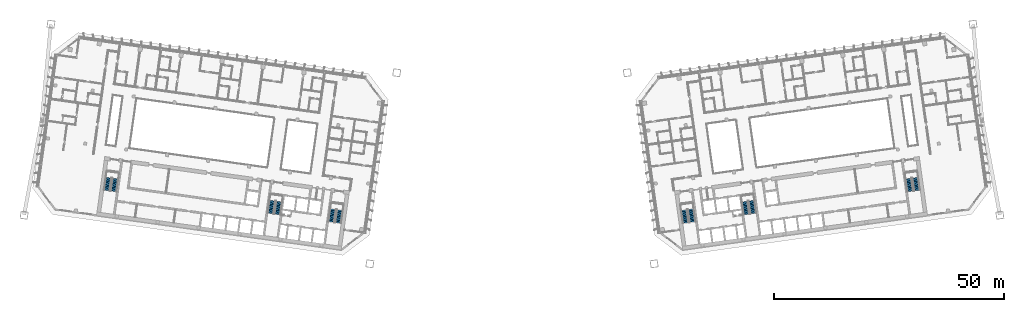
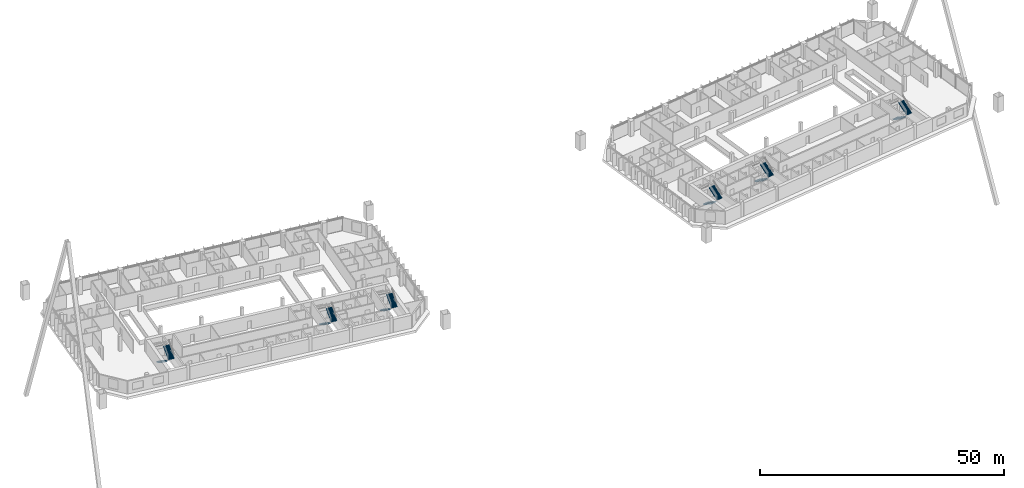
# One storey, part 31 of 33: 12 stair flights, 6 elements without a shape of their own.
"""IFC4 building model written with IfcOpenShell, lengths in metres."""

from ifc_helpers import new_model, si_unit, direction, frame, origin, place, context, subcontext, project, spatial, polyline, outline, extrude, material, type_object, element, aggregate, save


model = new_model("IFC4")

# Units and contexts
model_context = context("Model", 3, precision=1e-05, world=origin(), true_north=direction((0.0, 1.0)))
body_context = subcontext(model_context, "Body", "Model", "MODEL_VIEW")
ifc_project = project(units=[si_unit("LENGTHUNIT", "METRE"), si_unit("AREAUNIT", "SQUARE_METRE"), si_unit("VOLUMEUNIT", "CUBIC_METRE"), si_unit("PLANEANGLEUNIT", "RADIAN"), si_unit("MASSUNIT", "GRAM", prefix="KILO")], contexts=[model_context])

# Site, building, storey
site_placement = place(None, origin())
site = spatial("IfcSite", under=ifc_project, at=site_placement, CompositionType="ELEMENT")
building_placement = place(site_placement, origin())
building = spatial("IfcBuilding", under=site, at=building_placement, Name="Mirante Cascada Hotel Towers", CompositionType="ELEMENT")
storey_placement = place(building_placement, frame((0.0, 0.0, 121.5)))
storey = spatial("IfcBuildingStorey", under=building, at=storey_placement, Name="L27", CompositionType="ELEMENT", Elevation=121.5)

# Stair, stair flights
ifc_material_1 = material(Name="Concrete C35/45", Category="concrete")
stair_type = type_object("IfcStairType", Name="Exit stair half-turn 1350 concrete C35/45", PredefinedType="HALF_TURN_STAIR", material=ifc_material_1)
stair_1_placement = place(storey_placement, origin())
stair_1 = element("IfcStair", 1, at=stair_1_placement, inside=storey, type_object=stair_type, Name="L27 Exit stair A", PredefinedType="HALF_TURN_STAIR")
ifc_material_2 = material(Name="Concrete C35/45", Category="concrete")
stair_flight_type = type_object("IfcStairFlightType", Name="Exit stair flight 1350 concrete C35/45", PredefinedType="STRAIGHT", material=ifc_material_2)
stair_flight_1_placement = place(storey_placement, frame((-38.9417, -11.195, 0.0), z_axis=(0.0, 0.0, 1.0), x_axis=(-0.1391731, -0.9902681, 0.0)))
stair_flight_1 = element("IfcStairFlight", 2, at=stair_flight_1_placement, type_object=stair_flight_type, Name="ST1-A flight 1", NumberOfRisers=11, NumberOfTreads=10, PredefinedType="STRAIGHT", RiserHeight=0.172727273, TreadLength=0.28, context=body_context, shape_type="SweptSolid", body=[
    extrude(outline(polyline([(0.0, 0.0), (0.0, 0.1727), (0.28, 0.1727), (0.28, 0.3455), (0.56, 0.3455), (0.56, 0.5182), (0.84, 0.5182), (0.84, 0.6909), (1.12, 0.6909), (1.12, 0.8636), (1.4, 0.8636), (1.4, 1.0364), (1.68, 1.0364), (1.68, 1.2091), (1.96, 1.2091), (1.96, 1.3818), (2.24, 1.3818), (2.24, 1.5545), (2.52, 1.5545), (2.52, 1.7273), (2.8, 1.7273), (2.8, 1.9), (2.8, 1.551), (0.2857, 0.0), (0.0, 0.0)])), frame((0.0, 0.675, 0.0), z_axis=(0.0, -1.0, 0.0), x_axis=(1.0, 0.0, 0.0)), (0.0, 0.0, 1.0), 1.35),
])
stair_flight_2_placement = place(storey_placement, frame((-37.846, -14.1765, 1.9), z_axis=(0.0, 0.0, 1.0), x_axis=(0.1391731, 0.9902681, 0.0)))
stair_flight_2 = element("IfcStairFlight", 3, at=stair_flight_2_placement, type_object=stair_flight_type, Name="ST1-A flight 2", NumberOfRisers=11, NumberOfTreads=10, PredefinedType="STRAIGHT", RiserHeight=0.172727273, TreadLength=0.28, context=body_context, shape_type="SweptSolid", body=[
    extrude(outline(polyline([(0.0, 0.0), (0.0, 0.1727), (0.28, 0.1727), (0.28, 0.3455), (0.56, 0.3455), (0.56, 0.5182), (0.84, 0.5182), (0.84, 0.6909), (1.12, 0.6909), (1.12, 0.8636), (1.4, 0.8636), (1.4, 1.0364), (1.68, 1.0364), (1.68, 1.2091), (1.96, 1.2091), (1.96, 1.3818), (2.24, 1.3818), (2.24, 1.5545), (2.52, 1.5545), (2.52, 1.7273), (2.8, 1.7273), (2.8, 1.9), (2.8, 1.551), (0.2857, 0.0), (0.0, 0.0)])), frame((0.0, 0.675, 0.0), z_axis=(0.0, -1.0, 0.0), x_axis=(1.0, 0.0, 0.0)), (0.0, 0.0, 1.0), 1.35),
])
aggregate(stair_1, [stair_flight_1, stair_flight_2])

stair_2_placement = place(storey_placement, origin())
stair_2 = element("IfcStair", 4, at=stair_2_placement, inside=storey, type_object=stair_type, Name="L27 Exit stair B", PredefinedType="HALF_TURN_STAIR")
stair_flight_3_placement = place(storey_placement, frame((-52.1618, -9.3371, 0.0), z_axis=(0.0, 0.0, 1.0), x_axis=(-0.1391731, -0.9902681, 0.0)))
stair_flight_3 = element("IfcStairFlight", 5, at=stair_flight_3_placement, type_object=stair_flight_type, Name="ST1-B flight 1", NumberOfRisers=11, NumberOfTreads=10, PredefinedType="STRAIGHT", RiserHeight=0.172727273, TreadLength=0.28, context=body_context, shape_type="SweptSolid", body=[
    extrude(outline(polyline([(0.0, 0.0), (0.0, 0.1727), (0.28, 0.1727), (0.28, 0.3455), (0.56, 0.3455), (0.56, 0.5182), (0.84, 0.5182), (0.84, 0.6909), (1.12, 0.6909), (1.12, 0.8636), (1.4, 0.8636), (1.4, 1.0364), (1.68, 1.0364), (1.68, 1.2091), (1.96, 1.2091), (1.96, 1.3818), (2.24, 1.3818), (2.24, 1.5545), (2.52, 1.5545), (2.52, 1.7273), (2.8, 1.7273), (2.8, 1.9), (2.8, 1.551), (0.2857, 0.0), (0.0, 0.0)])), frame((0.0, 0.675, 0.0), z_axis=(0.0, -1.0, 0.0), x_axis=(1.0, 0.0, 0.0)), (0.0, 0.0, 1.0), 1.35),
])
stair_flight_4_placement = place(storey_placement, frame((-51.0661, -12.3186, 1.9), z_axis=(0.0, 0.0, 1.0), x_axis=(0.1391731, 0.9902681, 0.0)))
stair_flight_4 = element("IfcStairFlight", 6, at=stair_flight_4_placement, type_object=stair_flight_type, Name="ST1-B flight 2", NumberOfRisers=11, NumberOfTreads=10, PredefinedType="STRAIGHT", RiserHeight=0.172727273, TreadLength=0.28, context=body_context, shape_type="SweptSolid", body=[
    extrude(outline(polyline([(0.0, 0.0), (0.0, 0.1727), (0.28, 0.1727), (0.28, 0.3455), (0.56, 0.3455), (0.56, 0.5182), (0.84, 0.5182), (0.84, 0.6909), (1.12, 0.6909), (1.12, 0.8636), (1.4, 0.8636), (1.4, 1.0364), (1.68, 1.0364), (1.68, 1.2091), (1.96, 1.2091), (1.96, 1.3818), (2.24, 1.3818), (2.24, 1.5545), (2.52, 1.5545), (2.52, 1.7273), (2.8, 1.7273), (2.8, 1.9), (2.8, 1.551), (0.2857, 0.0), (0.0, 0.0)])), frame((0.0, 0.675, 0.0), z_axis=(0.0, -1.0, 0.0), x_axis=(1.0, 0.0, 0.0)), (0.0, 0.0, 1.0), 1.35),
])
aggregate(stair_2, [stair_flight_3, stair_flight_4])

stair_3_placement = place(storey_placement, origin())
stair_3 = element("IfcStair", 7, at=stair_3_placement, inside=storey, type_object=stair_type, Name="L27 Exit stair C", PredefinedType="HALF_TURN_STAIR")
stair_flight_5_placement = place(storey_placement, frame((-87.8115, -4.3268, 0.0), z_axis=(0.0, 0.0, 1.0), x_axis=(-0.1391731, -0.9902681, 0.0)))
stair_flight_5 = element("IfcStairFlight", 8, at=stair_flight_5_placement, type_object=stair_flight_type, Name="ST1-C flight 1", NumberOfRisers=11, NumberOfTreads=10, PredefinedType="STRAIGHT", RiserHeight=0.172727273, TreadLength=0.28, context=body_context, shape_type="SweptSolid", body=[
    extrude(outline(polyline([(0.0, 0.0), (0.0, 0.1727), (0.28, 0.1727), (0.28, 0.3455), (0.56, 0.3455), (0.56, 0.5182), (0.84, 0.5182), (0.84, 0.6909), (1.12, 0.6909), (1.12, 0.8636), (1.4, 0.8636), (1.4, 1.0364), (1.68, 1.0364), (1.68, 1.2091), (1.96, 1.2091), (1.96, 1.3818), (2.24, 1.3818), (2.24, 1.5545), (2.52, 1.5545), (2.52, 1.7273), (2.8, 1.7273), (2.8, 1.9), (2.8, 1.551), (0.2857, 0.0), (0.0, 0.0)])), frame((0.0, 0.675, 0.0), z_axis=(0.0, -1.0, 0.0), x_axis=(1.0, 0.0, 0.0)), (0.0, 0.0, 1.0), 1.35),
])
stair_flight_6_placement = place(storey_placement, frame((-86.7157, -7.3084, 1.9), z_axis=(0.0, 0.0, 1.0), x_axis=(0.1391731, 0.9902681, 0.0)))
stair_flight_6 = element("IfcStairFlight", 9, at=stair_flight_6_placement, type_object=stair_flight_type, Name="ST1-C flight 2", NumberOfRisers=11, NumberOfTreads=10, PredefinedType="STRAIGHT", RiserHeight=0.172727273, TreadLength=0.28, context=body_context, shape_type="SweptSolid", body=[
    extrude(outline(polyline([(0.0, 0.0), (0.0, 0.1727), (0.28, 0.1727), (0.28, 0.3455), (0.56, 0.3455), (0.56, 0.5182), (0.84, 0.5182), (0.84, 0.6909), (1.12, 0.6909), (1.12, 0.8636), (1.4, 0.8636), (1.4, 1.0364), (1.68, 1.0364), (1.68, 1.2091), (1.96, 1.2091), (1.96, 1.3818), (2.24, 1.3818), (2.24, 1.5545), (2.52, 1.5545), (2.52, 1.7273), (2.8, 1.7273), (2.8, 1.9), (2.8, 1.551), (0.2857, 0.0), (0.0, 0.0)])), frame((0.0, 0.675, 0.0), z_axis=(0.0, -1.0, 0.0), x_axis=(1.0, 0.0, 0.0)), (0.0, 0.0, 1.0), 1.35),
])
aggregate(stair_3, [stair_flight_5, stair_flight_6])

stair_4_placement = place(storey_placement, origin())
stair_4 = element("IfcStair", 10, at=stair_4_placement, inside=storey, type_object=stair_type, Name="L27 Exit stair A", PredefinedType="HALF_TURN_STAIR")
stair_flight_7_placement = place(storey_placement, frame((37.4563, -11.4038, 0.0), z_axis=(0.0, 0.0, 1.0), x_axis=(0.1391731, -0.9902681, 0.0)))
stair_flight_7 = element("IfcStairFlight", 11, at=stair_flight_7_placement, type_object=stair_flight_type, Name="ST2-A flight 1", NumberOfRisers=11, NumberOfTreads=10, PredefinedType="STRAIGHT", RiserHeight=0.172727273, TreadLength=0.28, context=body_context, shape_type="SweptSolid", body=[
    extrude(outline(polyline([(0.0, 0.0), (0.0, 0.1727), (0.28, 0.1727), (0.28, 0.3455), (0.56, 0.3455), (0.56, 0.5182), (0.84, 0.5182), (0.84, 0.6909), (1.12, 0.6909), (1.12, 0.8636), (1.4, 0.8636), (1.4, 1.0364), (1.68, 1.0364), (1.68, 1.2091), (1.96, 1.2091), (1.96, 1.3818), (2.24, 1.3818), (2.24, 1.5545), (2.52, 1.5545), (2.52, 1.7273), (2.8, 1.7273), (2.8, 1.9), (2.8, 1.551), (0.2857, 0.0), (0.0, 0.0)])), frame((0.0, 0.675, 0.0), z_axis=(0.0, -1.0, 0.0), x_axis=(1.0, 0.0, 0.0)), (0.0, 0.0, 1.0), 1.35),
])
stair_flight_8_placement = place(storey_placement, frame((39.3314, -13.9678, 1.9), z_axis=(0.0, 0.0, 1.0), x_axis=(-0.1391731, 0.9902681, 0.0)))
stair_flight_8 = element("IfcStairFlight", 12, at=stair_flight_8_placement, type_object=stair_flight_type, Name="ST2-A flight 2", NumberOfRisers=11, NumberOfTreads=10, PredefinedType="STRAIGHT", RiserHeight=0.172727273, TreadLength=0.28, context=body_context, shape_type="SweptSolid", body=[
    extrude(outline(polyline([(0.0, 0.0), (0.0, 0.1727), (0.28, 0.1727), (0.28, 0.3455), (0.56, 0.3455), (0.56, 0.5182), (0.84, 0.5182), (0.84, 0.6909), (1.12, 0.6909), (1.12, 0.8636), (1.4, 0.8636), (1.4, 1.0364), (1.68, 1.0364), (1.68, 1.2091), (1.96, 1.2091), (1.96, 1.3818), (2.24, 1.3818), (2.24, 1.5545), (2.52, 1.5545), (2.52, 1.7273), (2.8, 1.7273), (2.8, 1.9), (2.8, 1.551), (0.2857, 0.0), (0.0, 0.0)])), frame((0.0, 0.675, 0.0), z_axis=(0.0, -1.0, 0.0), x_axis=(1.0, 0.0, 0.0)), (0.0, 0.0, 1.0), 1.35),
])
aggregate(stair_4, [stair_flight_7, stair_flight_8])

stair_5_placement = place(storey_placement, origin())
stair_5 = element("IfcStair", 13, at=stair_5_placement, inside=storey, type_object=stair_type, Name="L27 Exit stair B", PredefinedType="HALF_TURN_STAIR")
stair_flight_9_placement = place(storey_placement, frame((50.6764, -9.5458, 0.0), z_axis=(0.0, 0.0, 1.0), x_axis=(0.1391731, -0.9902681, 0.0)))
stair_flight_9 = element("IfcStairFlight", 14, at=stair_flight_9_placement, type_object=stair_flight_type, Name="ST2-B flight 1", NumberOfRisers=11, NumberOfTreads=10, PredefinedType="STRAIGHT", RiserHeight=0.172727273, TreadLength=0.28, context=body_context, shape_type="SweptSolid", body=[
    extrude(outline(polyline([(0.0, 0.0), (0.0, 0.1727), (0.28, 0.1727), (0.28, 0.3455), (0.56, 0.3455), (0.56, 0.5182), (0.84, 0.5182), (0.84, 0.6909), (1.12, 0.6909), (1.12, 0.8636), (1.4, 0.8636), (1.4, 1.0364), (1.68, 1.0364), (1.68, 1.2091), (1.96, 1.2091), (1.96, 1.3818), (2.24, 1.3818), (2.24, 1.5545), (2.52, 1.5545), (2.52, 1.7273), (2.8, 1.7273), (2.8, 1.9), (2.8, 1.551), (0.2857, 0.0), (0.0, 0.0)])), frame((0.0, 0.675, 0.0), z_axis=(0.0, -1.0, 0.0), x_axis=(1.0, 0.0, 0.0)), (0.0, 0.0, 1.0), 1.35),
])
stair_flight_10_placement = place(storey_placement, frame((52.5515, -12.1098, 1.9), z_axis=(0.0, 0.0, 1.0), x_axis=(-0.1391731, 0.9902681, 0.0)))
stair_flight_10 = element("IfcStairFlight", 15, at=stair_flight_10_placement, type_object=stair_flight_type, Name="ST2-B flight 2", NumberOfRisers=11, NumberOfTreads=10, PredefinedType="STRAIGHT", RiserHeight=0.172727273, TreadLength=0.28, context=body_context, shape_type="SweptSolid", body=[
    extrude(outline(polyline([(0.0, 0.0), (0.0, 0.1727), (0.28, 0.1727), (0.28, 0.3455), (0.56, 0.3455), (0.56, 0.5182), (0.84, 0.5182), (0.84, 0.6909), (1.12, 0.6909), (1.12, 0.8636), (1.4, 0.8636), (1.4, 1.0364), (1.68, 1.0364), (1.68, 1.2091), (1.96, 1.2091), (1.96, 1.3818), (2.24, 1.3818), (2.24, 1.5545), (2.52, 1.5545), (2.52, 1.7273), (2.8, 1.7273), (2.8, 1.9), (2.8, 1.551), (0.2857, 0.0), (0.0, 0.0)])), frame((0.0, 0.675, 0.0), z_axis=(0.0, -1.0, 0.0), x_axis=(1.0, 0.0, 0.0)), (0.0, 0.0, 1.0), 1.35),
])
aggregate(stair_5, [stair_flight_9, stair_flight_10])

stair_6_placement = place(storey_placement, origin())
stair_6 = element("IfcStair", 16, at=stair_6_placement, inside=storey, type_object=stair_type, Name="L27 Exit stair C", PredefinedType="HALF_TURN_STAIR")
stair_flight_11_placement = place(storey_placement, frame((86.326, -4.5356, 0.0), z_axis=(0.0, 0.0, 1.0), x_axis=(0.1391731, -0.9902681, 0.0)))
stair_flight_11 = element("IfcStairFlight", 17, at=stair_flight_11_placement, type_object=stair_flight_type, Name="ST2-C flight 1", NumberOfRisers=11, NumberOfTreads=10, PredefinedType="STRAIGHT", RiserHeight=0.172727273, TreadLength=0.28, context=body_context, shape_type="SweptSolid", body=[
    extrude(outline(polyline([(0.0, 0.0), (0.0, 0.1727), (0.28, 0.1727), (0.28, 0.3455), (0.56, 0.3455), (0.56, 0.5182), (0.84, 0.5182), (0.84, 0.6909), (1.12, 0.6909), (1.12, 0.8636), (1.4, 0.8636), (1.4, 1.0364), (1.68, 1.0364), (1.68, 1.2091), (1.96, 1.2091), (1.96, 1.3818), (2.24, 1.3818), (2.24, 1.5545), (2.52, 1.5545), (2.52, 1.7273), (2.8, 1.7273), (2.8, 1.9), (2.8, 1.551), (0.2857, 0.0), (0.0, 0.0)])), frame((0.0, 0.675, 0.0), z_axis=(0.0, -1.0, 0.0), x_axis=(1.0, 0.0, 0.0)), (0.0, 0.0, 1.0), 1.35),
])
stair_flight_12_placement = place(storey_placement, frame((88.2011, -7.0996, 1.9), z_axis=(0.0, 0.0, 1.0), x_axis=(-0.1391731, 0.9902681, 0.0)))
stair_flight_12 = element("IfcStairFlight", 18, at=stair_flight_12_placement, type_object=stair_flight_type, Name="ST2-C flight 2", NumberOfRisers=11, NumberOfTreads=10, PredefinedType="STRAIGHT", RiserHeight=0.172727273, TreadLength=0.28, context=body_context, shape_type="SweptSolid", body=[
    extrude(outline(polyline([(0.0, 0.0), (0.0, 0.1727), (0.28, 0.1727), (0.28, 0.3455), (0.56, 0.3455), (0.56, 0.5182), (0.84, 0.5182), (0.84, 0.6909), (1.12, 0.6909), (1.12, 0.8636), (1.4, 0.8636), (1.4, 1.0364), (1.68, 1.0364), (1.68, 1.2091), (1.96, 1.2091), (1.96, 1.3818), (2.24, 1.3818), (2.24, 1.5545), (2.52, 1.5545), (2.52, 1.7273), (2.8, 1.7273), (2.8, 1.9), (2.8, 1.551), (0.2857, 0.0), (0.0, 0.0)])), frame((0.0, 0.675, 0.0), z_axis=(0.0, -1.0, 0.0), x_axis=(1.0, 0.0, 0.0)), (0.0, 0.0, 1.0), 1.35),
])
aggregate(stair_6, [stair_flight_11, stair_flight_12])

save(model, "model.ifc")
